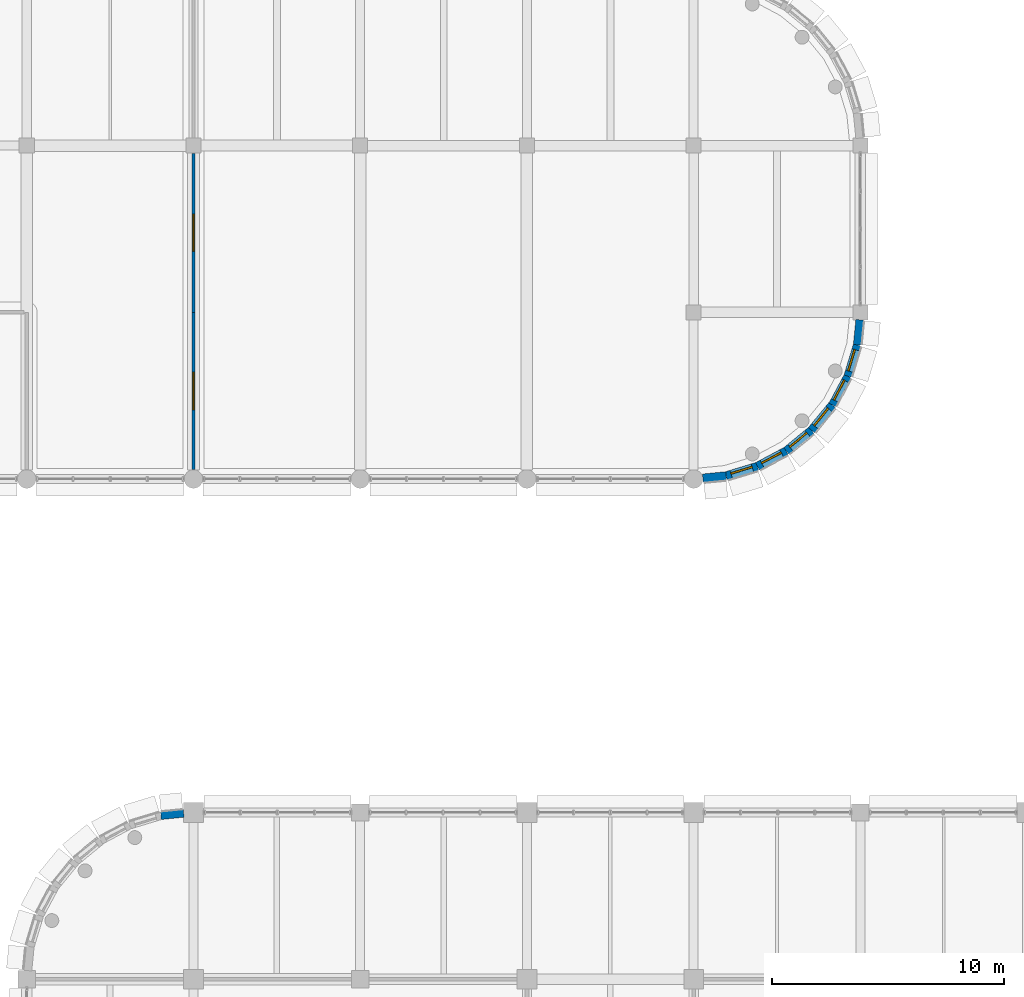
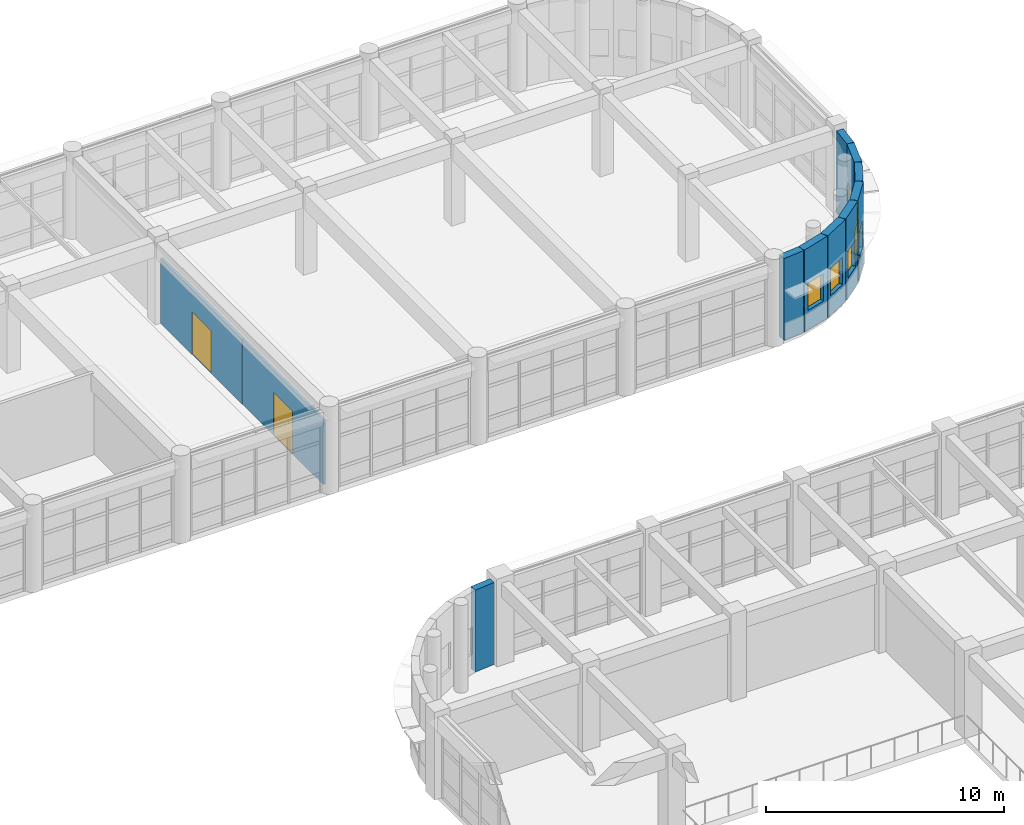
# One storey, part 153 of 171: 11 walls, 6 windows, 2 doors, 8 openings.
"""IFC4 building model written with IfcOpenShell, lengths in metres."""

import ifcopenshell
import ifcopenshell.guid

model = None  # the IFC model being written
_history = None  # IfcOwnerHistory: only IFC2X3 demands one
_inside = {}  # id of a spatial element -> (the spatial element, [elements in it])
_under = {}  # id of a project, library or spatial element -> (it, [spatial elements below it])
_declared = {}  # id of a project -> (the project, [libraries it declares])
_typed = {}  # id of a type object -> (the type object, [elements of that type])
_made_of = {}  # id of a material, layer set ... -> (it, [elements and type objects made of it])


def new_model(schema):
    """Start an empty IFC model of exactly this schema.

    Asked for "IFC4X3", IfcOpenShell would pick the latest addendum, in which some entities
    have other attributes; the version numbers below select the first issue.
    IFC2X3 requires an IfcOwnerHistory on every rooted entity: one is made here for all.
    """
    global model, _history
    if schema == "IFC4X3":
        model = ifcopenshell.file(schema_version=(4, 3, 0, 0))
    else:
        model = ifcopenshell.file(schema=schema)
    _inside.clear()
    _under.clear()
    _declared.clear()
    _typed.clear()
    _made_of.clear()
    _history = None
    if model.schema == "IFC2X3":
        org = make("IfcOrganization", Name="unknown")
        user = make(
            "IfcPersonAndOrganization",
            ThePerson=make("IfcPerson", FamilyName="unknown"),
            TheOrganization=org,
        )
        app = make(
            "IfcApplication",
            ApplicationDeveloper=org,
            Version="unknown",
            ApplicationFullName="unknown",
            ApplicationIdentifier="unknown",
        )
        _history = make(
            "IfcOwnerHistory",
            OwningUser=user,
            OwningApplication=app,
            ChangeAction="ADDED",
            CreationDate=0,
        )
    return model


def make(cls, **values):
    """One entity of the class cls with the attributes given. An attribute that is None is left unset."""
    return model.create_entity(
        cls, **{name: value for name, value in values.items() if value is not None}
    )


def rooted(cls, **values):
    """An entity with a GlobalId (a new one), such as an element, a storey or a relation."""
    return make(cls, GlobalId=ifcopenshell.guid.new(), OwnerHistory=_history, **values)


def si_unit(unit_type, name, prefix=None):
    """IfcSIUnit, for example si_unit("LENGTHUNIT", "METRE", prefix="MILLI")."""
    return make("IfcSIUnit", UnitType=unit_type, Prefix=prefix, Name=name)


def assignment(units):
    """IfcUnitAssignment: the units of a project."""
    return None if units is None else make("IfcUnitAssignment", Units=units)


def point(xyz):
    """IfcCartesianPoint."""
    return None if xyz is None else make("IfcCartesianPoint", Coordinates=xyz)


def direction(xyz):
    """IfcDirection."""
    return None if xyz is None else make("IfcDirection", DirectionRatios=xyz)


def frame(location, z_axis=None, x_axis=None):
    """IfcAxis2Placement3D, a coordinate frame: its origin and axes. An axis left out is left unset."""
    return make(
        "IfcAxis2Placement3D",
        Location=point(location),
        Axis=direction(z_axis),
        RefDirection=direction(x_axis),
    )


def frame_2d(location, x_axis=None):
    """IfcAxis2Placement2D, a coordinate frame in the plane: its origin and x axis."""
    return make(
        "IfcAxis2Placement2D", Location=point(location), RefDirection=direction(x_axis)
    )


def origin():
    """The frame at (0, 0, 0) with its axes left unset."""
    return frame((0.0, 0.0, 0.0))


def place(relative_to, where):
    """IfcLocalPlacement: puts the frame where relative to a parent placement (None: the world)."""
    return make(
        "IfcLocalPlacement", PlacementRelTo=relative_to, RelativePlacement=where
    )


def context(
    kind, dimensions, precision=None, world=None, true_north=None, identifier=None
):
    """IfcGeometricRepresentationContext, for example the 3D "Model" context."""
    return make(
        "IfcGeometricRepresentationContext",
        ContextIdentifier=identifier,
        ContextType=kind,
        CoordinateSpaceDimension=dimensions,
        Precision=precision,
        WorldCoordinateSystem=world,
        TrueNorth=true_north,
    )


def subcontext(parent, identifier, kind, view, scale=None):
    """IfcGeometricRepresentationSubContext, for example "Body" below "Model"."""
    return make(
        "IfcGeometricRepresentationSubContext",
        ContextIdentifier=identifier,
        ContextType=kind,
        ParentContext=parent,
        TargetScale=scale,
        TargetView=view,
    )


def project(units=None, contexts=None):
    """IfcProject with its units and contexts."""
    return rooted(
        "IfcProject",
        Name="project",
        RepresentationContexts=contexts,
        UnitsInContext=assignment(units),
    )


def spatial(cls, under=None, at=None, **own):
    """A site, building, storey or space (cls), placed at a placement, below another one or the project."""
    s = rooted(cls, ObjectPlacement=at, **own)
    if under is not None:
        _under.setdefault(under.id(), (under, []))[1].append(s)
    return s


def profile(cls, at=None, kind="AREA", **sizes):
    """A parametric profile (cls). Its sizes go by their IFC names, for example OverallWidth=200.0."""
    return make(cls, ProfileType=kind, Position=at, **sizes)


def rectangle(**sizes):
    """IfcRectangleProfileDef."""
    return profile("IfcRectangleProfileDef", **sizes)


def extrude(swept, where, along, depth):
    """IfcExtrudedAreaSolid: the profile swept, set in the frame where, extruded along a direction by depth."""
    return make(
        "IfcExtrudedAreaSolid",
        SweptArea=swept,
        Position=where,
        ExtrudedDirection=direction(along),
        Depth=depth,
    )


def shape(context_of_items, identifier, shape_type, items):
    """IfcShapeRepresentation: the items that make up one representation, for example the "Body"."""
    return make(
        "IfcShapeRepresentation",
        ContextOfItems=context_of_items,
        RepresentationIdentifier=identifier,
        RepresentationType=shape_type,
        Items=items,
    )


def material(Name=None, Category=None):
    """IfcMaterial."""
    return make("IfcMaterial", Name=Name, Category=Category)


def layer(
    of_material, thickness, ventilated=None, Name=None, Category=None, Priority=None
):
    """IfcMaterialLayer: one layer of a wall or slab, of a material (None: an air gap)."""
    return make(
        "IfcMaterialLayer",
        Material=of_material,
        LayerThickness=thickness,
        IsVentilated=ventilated,
        Name=Name,
        Category=Category,
        Priority=Priority,
    )


def layer_set(layers, Name=None):
    """IfcMaterialLayerSet."""
    return make("IfcMaterialLayerSet", MaterialLayers=layers, LayerSetName=Name)


def made_of(thing, what):
    """Note that an element or type object is made of a material, layer set ...; save() writes the relation."""
    if what is not None:
        _made_of.setdefault(what.id(), (what, []))[1].append(thing)
    return thing


def type_object(cls, material=None, **own):
    """A type object (cls), such as IfcWallType, which elements share."""
    return made_of(rooted(cls, **own), material)


def element(
    cls,
    number,
    at=None,
    inside=None,
    cuts=None,
    type_object=None,
    material=None,
    context=None,
    identifier="Body",
    shape_type=None,
    held_by="IfcProductDefinitionShape",
    body=None,
    shapes=None,
    **own,
):
    """One element of the class cls, such as IfcWall. Its Tag is "e" and its number.

    at: its placement. inside: the storey or other place that contains it. cuts: it is an
    opening in that element (IfcRelVoidsElement). A single representation is given by context,
    identifier, shape_type and body (its items); several are given by shapes. held_by: the class
    of the entity that holds the representations. save() writes the other relations.
    """
    e = rooted(cls, Tag="e%d" % number, ObjectPlacement=at, **own)
    if body is not None:
        shapes = [shape(context, identifier, shape_type, body)]
    if shapes is not None:
        e.Representation = make(held_by, Representations=shapes)
    if inside is not None:
        _inside.setdefault(inside.id(), (inside, []))[1].append(e)
    if cuts is not None:
        rooted(
            "IfcRelVoidsElement", RelatingBuildingElement=cuts, RelatedOpeningElement=e
        )
    if type_object is not None:
        _typed.setdefault(type_object.id(), (type_object, []))[1].append(e)
    return made_of(e, material)


def fill(opening, filler):
    """IfcRelFillsElement: the door or window that sits in an opening."""
    return rooted(
        "IfcRelFillsElement",
        RelatingOpeningElement=opening,
        RelatedBuildingElement=filler,
    )


def aggregate(whole, parts):
    """IfcRelAggregates: a whole, such as a stair, and the parts it consists of."""
    return rooted("IfcRelAggregates", RelatingObject=whole, RelatedObjects=parts)


def save(model, path):
    """Write the relations noted so far, then the file.

    IfcRelAggregates (storeys below a building ...), IfcRelContainedInSpatialStructure (elements
    in a storey), IfcRelDefinesByType, IfcRelAssociatesMaterial and IfcRelDeclares: one each for
    every whole, place, type object, material and project.
    """
    for whole, parts in _under.values():
        aggregate(whole, parts)
    for where, things in _inside.values():
        rooted(
            "IfcRelContainedInSpatialStructure",
            RelatedElements=things,
            RelatingStructure=where,
        )
    for kind, things in _typed.values():
        rooted("IfcRelDefinesByType", RelatedObjects=things, RelatingType=kind)
    for what, things in _made_of.values():
        rooted("IfcRelAssociatesMaterial", RelatedObjects=things, RelatingMaterial=what)
    for by, libraries in _declared.values():
        rooted("IfcRelDeclares", RelatingContext=by, RelatedDefinitions=libraries)
    model.write(path)


model = new_model("IFC4")

# Units and contexts
model_context = context("Model", 3, precision=1e-05, world=origin(), true_north=direction((0.0, 1.0)))
body_context = subcontext(model_context, "Body", "Model", "MODEL_VIEW")
ifc_project = project(units=[si_unit("LENGTHUNIT", "METRE"), si_unit("AREAUNIT", "SQUARE_METRE"), si_unit("VOLUMEUNIT", "CUBIC_METRE"), si_unit("PLANEANGLEUNIT", "RADIAN"), si_unit("MASSUNIT", "GRAM", prefix="KILO")], contexts=[model_context])

# Site, building, storey
site_placement = place(None, origin())
site = spatial("IfcSite", under=ifc_project, at=site_placement, CompositionType="ELEMENT")
building_placement = place(site_placement, origin())
building = spatial("IfcBuilding", under=site, at=building_placement, Name="Thalmaran Polytechnic", CompositionType="ELEMENT")
storey_placement = place(building_placement, frame((0.0, 0.0, 5.39990234375)))
storey = spatial("IfcBuildingStorey", under=building, at=storey_placement, Name="L01", CompositionType="ELEMENT", Elevation=5.39990234375)

# Wall, opening, window
ifc_material_1 = material(Name="Precast concrete C40/50", Category="concrete")
ifc_layer_1 = layer(ifc_material_1, 0.360107421875, Name="Precast concrete C40/50")
ifc_layer_set_1 = layer_set([ifc_layer_1], Name="Precast concrete C40/50")
wall_type_1 = type_object("IfcWallType", Name="WL-EW01", PredefinedType="STANDARD", material=ifc_layer_set_1)
wall_1_placement = place(storey_placement, frame((92.386474609375, 53.599853515625, 0.0), z_axis=(0.0, 0.0, 1.0), x_axis=(-0.63432986571, -0.773062495189, 0.0)))
wall_1 = element("IfcWall", 1, at=wall_1_placement, inside=storey, type_object=wall_type_1, Name="Exterior Precast Facade Wall L01-156", PredefinedType="STANDARD", context=body_context, shape_type="SweptSolid", body=[
    extrude(rectangle(XDim=1.411376953125, YDim=0.360107421875, at=frame_2d((0.70556640625, 0.0))), origin(), (0.0, 0.0, 1.0), 4.210205078125),
])
opening_1_placement = place(wall_1_placement, frame((0.2255859375, 0.0, 1.0)))
opening_1 = element("IfcOpeningElement", 2, at=opening_1_placement, cuts=wall_1, Name="Opening CR01", PredefinedType="OPENING", context=body_context, shape_type="SweptSolid", body=[
    extrude(rectangle(XDim=0.9599609375, YDim=1.39990234375, at=frame_2d((0.47998046875, 0.699951171875))), frame((0.0, 0.18994140625, 0.0), z_axis=(0.0, -1.0, 0.0), x_axis=(1.0, 0.0, 0.0)), (0.0, 0.0, 1.0), 0.380126953125),
])
ifc_material_2 = material(Name="Thermally broken aluminium and double low-E glass", Category="aluminium")
window_type = type_object("IfcWindowType", Name="WN-CR01", PartitioningType="SINGLE_PANEL", PredefinedType="WINDOW", material=ifc_material_2)
window_1_placement = place(opening_1_placement, origin())
window_1 = element("IfcWindow", 3, at=window_1_placement, inside=storey, type_object=window_type, Name="Curved Prow Ribbon Window W-0169", OverallHeight=1.39990234375, OverallWidth=0.9599609375, PartitioningType="SINGLE_PANEL", PredefinedType="WINDOW", context=body_context, shape_type="SweptSolid", body=[
    extrude(rectangle(XDim=0.9599609375, YDim=1.39990234375, at=frame_2d((0.47998046875, 0.699951171875))), frame((0.0, -0.010009765625, 0.0), z_axis=(0.0, -1.0, 0.0), x_axis=(1.0, 0.0, 0.0)), (0.0, 0.0, 1.0), 0.06005859375),
])
fill(opening_1, window_1)

wall_2_placement = place(storey_placement, frame((91.4912109375, 52.5087890625, 0.0), z_axis=(0.0, 0.0, 1.0), x_axis=(-0.773062495189, -0.63432986571, 0.0)))
wall_2 = element("IfcWall", 4, at=wall_2_placement, inside=storey, type_object=wall_type_1, Name="Exterior Precast Facade Wall L01-157", PredefinedType="STANDARD", context=body_context, shape_type="SweptSolid", body=[
    extrude(rectangle(XDim=1.411376953125, YDim=0.360107421875, at=frame_2d((0.70556640625, 0.0))), origin(), (0.0, 0.0, 1.0), 4.210205078125),
])
opening_2_placement = place(wall_2_placement, frame((0.2255859375, 0.0, 1.0)))
opening_2 = element("IfcOpeningElement", 5, at=opening_2_placement, cuts=wall_2, Name="Opening CR01", PredefinedType="OPENING", context=body_context, shape_type="SweptSolid", body=[
    extrude(rectangle(XDim=0.9599609375, YDim=1.39990234375, at=frame_2d((0.47998046875, 0.699951171875))), frame((0.0, 0.18994140625, 0.0), z_axis=(0.0, -1.0, 0.0), x_axis=(1.0, 0.0, 0.0)), (0.0, 0.0, 1.0), 0.380126953125),
])
window_2_placement = place(opening_2_placement, origin())
window_2 = element("IfcWindow", 6, at=window_2_placement, inside=storey, type_object=window_type, Name="Curved Prow Ribbon Window W-0170", OverallHeight=1.39990234375, OverallWidth=0.9599609375, PartitioningType="SINGLE_PANEL", PredefinedType="WINDOW", context=body_context, shape_type="SweptSolid", body=[
    extrude(rectangle(XDim=0.9599609375, YDim=1.39990234375, at=frame_2d((0.47998046875, 0.699951171875))), frame((0.0, -0.010009765625, 0.0), z_axis=(0.0, -1.0, 0.0), x_axis=(1.0, 0.0, 0.0)), (0.0, 0.0, 1.0), 0.06005859375),
])
fill(opening_2, window_2)

wall_3_placement = place(storey_placement, frame((90.400146484375, 51.613525390625, 0.0), z_axis=(0.0, 0.0, 1.0), x_axis=(-0.881883317393, -0.471467723713, 0.0)))
wall_3 = element("IfcWall", 7, at=wall_3_placement, inside=storey, type_object=wall_type_1, Name="Exterior Precast Facade Wall L01-158", PredefinedType="STANDARD", context=body_context, shape_type="SweptSolid", body=[
    extrude(rectangle(XDim=1.41162109375, YDim=0.360107421875, at=frame_2d((0.705810546875, 0.0))), origin(), (0.0, 0.0, 1.0), 4.210205078125),
])
opening_3_placement = place(wall_3_placement, frame((0.2255859375, 0.0, 1.0)))
opening_3 = element("IfcOpeningElement", 8, at=opening_3_placement, cuts=wall_3, Name="Opening CR01", PredefinedType="OPENING", context=body_context, shape_type="SweptSolid", body=[
    extrude(rectangle(XDim=0.9599609375, YDim=1.39990234375, at=frame_2d((0.47998046875, 0.699951171875))), frame((0.0, 0.18994140625, 0.0), z_axis=(0.0, -1.0, 0.0), x_axis=(1.0, 0.0, 0.0)), (0.0, 0.0, 1.0), 0.380126953125),
])
window_3_placement = place(opening_3_placement, origin())
window_3 = element("IfcWindow", 9, at=window_3_placement, inside=storey, type_object=window_type, Name="Curved Prow Ribbon Window W-0171", OverallHeight=1.39990234375, OverallWidth=0.9599609375, PartitioningType="SINGLE_PANEL", PredefinedType="WINDOW", context=body_context, shape_type="SweptSolid", body=[
    extrude(rectangle(XDim=0.9599609375, YDim=1.39990234375, at=frame_2d((0.47998046875, 0.699951171875))), frame((0.0, -0.010009765625, 0.0), z_axis=(0.0, -1.0, 0.0), x_axis=(1.0, 0.0, 0.0)), (0.0, 0.0, 1.0), 0.06005859375),
])
fill(opening_3, window_3)

wall_4_placement = place(storey_placement, frame((89.1552734375, 50.947998046875, 0.0), z_axis=(0.0, 0.0, 1.0), x_axis=(-0.956945806495, -0.290266641956, 0.0)))
wall_4 = element("IfcWall", 10, at=wall_4_placement, inside=storey, type_object=wall_type_1, Name="Exterior Precast Facade Wall L01-159", PredefinedType="STANDARD", context=body_context, shape_type="SweptSolid", body=[
    extrude(rectangle(XDim=1.411376953125, YDim=0.360107421875, at=frame_2d((0.70556640625, 0.0))), origin(), (0.0, 0.0, 1.0), 4.210205078125),
])
opening_4_placement = place(wall_4_placement, frame((0.2255859375, 0.0, 1.0)))
opening_4 = element("IfcOpeningElement", 11, at=opening_4_placement, cuts=wall_4, Name="Opening CR01", PredefinedType="OPENING", context=body_context, shape_type="SweptSolid", body=[
    extrude(rectangle(XDim=0.9599609375, YDim=1.39990234375, at=frame_2d((0.47998046875, 0.699951171875))), frame((0.0, 0.18994140625, 0.0), z_axis=(0.0, -1.0, 0.0), x_axis=(1.0, 0.0, 0.0)), (0.0, 0.0, 1.0), 0.380126953125),
])
window_4_placement = place(opening_4_placement, origin())
window_4 = element("IfcWindow", 12, at=window_4_placement, inside=storey, type_object=window_type, Name="Curved Prow Ribbon Window W-0172", OverallHeight=1.39990234375, OverallWidth=0.9599609375, PartitioningType="SINGLE_PANEL", PredefinedType="WINDOW", context=body_context, shape_type="SweptSolid", body=[
    extrude(rectangle(XDim=0.9599609375, YDim=1.39990234375, at=frame_2d((0.47998046875, 0.699951171875))), frame((0.0, -0.010009765625, 0.0), z_axis=(0.0, -1.0, 0.0), x_axis=(1.0, 0.0, 0.0)), (0.0, 0.0, 1.0), 0.06005859375),
])
fill(opening_4, window_4)

# Walls
wall_5_placement = place(storey_placement, frame((87.8046875, 50.538330078125, 0.0), z_axis=(0.0, 0.0, 1.0), x_axis=(-0.9951866114, -0.097998002481, 0.0)))
element("IfcWall", 13, at=wall_5_placement, inside=storey, type_object=wall_type_1, Name="Exterior Precast Facade Wall L01-160", PredefinedType="STANDARD", context=body_context, shape_type="SweptSolid", body=[
    extrude(rectangle(XDim=1.011474609375, YDim=0.360107421875, at=frame_2d((0.505859375, 0.0))), origin(), (0.0, 0.0, 1.0), 4.210205078125),
])
ifc_layer_2 = layer(ifc_material_1, 0.330078125, Name="Precast concrete C40/50")
ifc_layer_set_2 = layer_set([ifc_layer_2], Name="Precast concrete C40/50")
wall_type_2 = type_object("IfcWallType", Name="WL-EW02", PredefinedType="STANDARD", material=ifc_layer_set_2)
wall_6_placement = place(storey_placement, frame((93.568115234375, 57.276611328125, 0.0), z_axis=(0.0, 0.0, 1.0), x_axis=(-0.097968531872, -0.995189512989, 0.0)))
element("IfcWall", 14, at=wall_6_placement, inside=storey, type_object=wall_type_2, Name="Exterior Precast Facade Wall L01-153", PredefinedType="STANDARD", context=body_context, shape_type="SweptSolid", body=[
    extrude(rectangle(XDim=1.08642578125, YDim=0.330078125, at=frame_2d((0.543212890625, 0.0))), origin(), (0.0, 0.0, 1.0), 4.210205078125),
])

# Wall, opening, window
wall_7_placement = place(storey_placement, frame((93.461669921875, 56.1953125, 0.0), z_axis=(0.0, 0.0, 1.0), x_axis=(-0.290266641956, -0.956945806495, 0.0)))
wall_7 = element("IfcWall", 15, at=wall_7_placement, inside=storey, type_object=wall_type_2, Name="Exterior Precast Facade Wall L01-154", PredefinedType="STANDARD", context=body_context, shape_type="SweptSolid", body=[
    extrude(rectangle(XDim=1.411376953125, YDim=0.330078125, at=frame_2d((0.70556640625, 0.0))), origin(), (0.0, 0.0, 1.0), 4.210205078125),
])
opening_5_placement = place(wall_7_placement, frame((0.2255859375, 0.0, 1.0)))
opening_5 = element("IfcOpeningElement", 16, at=opening_5_placement, cuts=wall_7, Name="Opening CR01", PredefinedType="OPENING", context=body_context, shape_type="SweptSolid", body=[
    extrude(rectangle(XDim=0.9599609375, YDim=1.39990234375, at=frame_2d((0.47998046875, 0.699951171875))), frame((0.0, 0.175048828125, 0.0), z_axis=(0.0, -1.0, 0.0), x_axis=(1.0, 0.0, 0.0)), (0.0, 0.0, 1.0), 0.35009765625),
])
window_5_placement = place(opening_5_placement, origin())
window_5 = element("IfcWindow", 17, at=window_5_placement, inside=storey, type_object=window_type, Name="Curved Prow Ribbon Window W-0167", OverallHeight=1.39990234375, OverallWidth=0.9599609375, PartitioningType="SINGLE_PANEL", PredefinedType="WINDOW", context=body_context, shape_type="SweptSolid", body=[
    extrude(rectangle(XDim=0.9599609375, YDim=1.39990234375, at=frame_2d((0.47998046875, 0.699951171875))), frame((0.0, -0.010009765625, 0.0), z_axis=(0.0, -1.0, 0.0), x_axis=(1.0, 0.0, 0.0)), (0.0, 0.0, 1.0), 0.06005859375),
])
fill(opening_5, window_5)

wall_8_placement = place(storey_placement, frame((93.052001953125, 54.8447265625, 0.0), z_axis=(0.0, 0.0, 1.0), x_axis=(-0.471467723713, -0.881883317393, 0.0)))
wall_8 = element("IfcWall", 18, at=wall_8_placement, inside=storey, type_object=wall_type_2, Name="Exterior Precast Facade Wall L01-155", PredefinedType="STANDARD", context=body_context, shape_type="SweptSolid", body=[
    extrude(rectangle(XDim=1.41162109375, YDim=0.330078125, at=frame_2d((0.705810546875, 0.0))), origin(), (0.0, 0.0, 1.0), 4.210205078125),
])
opening_6_placement = place(wall_8_placement, frame((0.2255859375, 0.0, 1.0)))
opening_6 = element("IfcOpeningElement", 19, at=opening_6_placement, cuts=wall_8, Name="Opening CR01", PredefinedType="OPENING", context=body_context, shape_type="SweptSolid", body=[
    extrude(rectangle(XDim=0.9599609375, YDim=1.39990234375, at=frame_2d((0.47998046875, 0.699951171875))), frame((0.0, 0.175048828125, 0.0), z_axis=(0.0, -1.0, 0.0), x_axis=(1.0, 0.0, 0.0)), (0.0, 0.0, 1.0), 0.35009765625),
])
window_6_placement = place(opening_6_placement, origin())
window_6 = element("IfcWindow", 20, at=window_6_placement, inside=storey, type_object=window_type, Name="Curved Prow Ribbon Window W-0168", OverallHeight=1.39990234375, OverallWidth=0.9599609375, PartitioningType="SINGLE_PANEL", PredefinedType="WINDOW", context=body_context, shape_type="SweptSolid", body=[
    extrude(rectangle(XDim=0.9599609375, YDim=1.39990234375, at=frame_2d((0.47998046875, 0.699951171875))), frame((0.0, -0.010009765625, 0.0), z_axis=(0.0, -1.0, 0.0), x_axis=(1.0, 0.0, 0.0)), (0.0, 0.0, 1.0), 0.06005859375),
])
fill(opening_6, window_6)

# Wall
wall_9_placement = place(storey_placement, frame((63.395263671875, 35.861572265625, 0.0), z_axis=(0.0, 0.0, 1.0), x_axis=(0.99518554585, 0.09800882272, 0.0)))
element("IfcWall", 21, at=wall_9_placement, inside=storey, type_object=wall_type_2, Name="Exterior Precast Facade Wall L01-187", PredefinedType="STANDARD", context=body_context, shape_type="SweptSolid", body=[
    extrude(rectangle(XDim=0.986328125, YDim=0.330078125, at=frame_2d((0.4931640625, 0.0))), origin(), (0.0, 0.0, 1.0), 4.210205078125),
])

# Wall, opening, door
ifc_material_3 = material(Name="Gypsum acoustic partition")
ifc_layer_3 = layer(ifc_material_3, 0.1298828125, Name="Gypsum acoustic partition")
ifc_layer_set_3 = layer_set([ifc_layer_3], Name="Gypsum acoustic partition")
wall_type_3 = type_object("IfcWallType", Name="WL-IW07", PredefinedType="PARTITIONING", material=ifc_layer_set_3)
wall_10_placement = place(storey_placement, frame((64.800048828125, 57.60009765625, 0.0), z_axis=(0.0, 0.0, 1.0), x_axis=(0.0, 1.0, 0.0)))
wall_10 = element("IfcWall", 22, at=wall_10_placement, inside=storey, type_object=wall_type_3, Name="Interior Partition IW07 L01-072", PredefinedType="PARTITIONING", context=body_context, shape_type="SweptSolid", body=[
    extrude(rectangle(XDim=6.869873046875, YDim=0.1298828125, at=frame_2d((3.43505859375, 0.0))), origin(), (0.0, 0.0, 1.0), 3.340087890625),
])
opening_7_placement = place(wall_10_placement, frame((2.635009765625, 0.0, 0.0)))
opening_7 = element("IfcOpeningElement", 23, at=opening_7_placement, cuts=wall_10, Name="Opening D-L01-004--CAF-2", PredefinedType="OPENING", context=body_context, shape_type="SweptSolid", body=[
    extrude(rectangle(XDim=1.60009765625, YDim=2.199951171875, at=frame_2d((0.800048828125, 1.10009765625))), frame((0.0, 0.074951171875, 0.0), z_axis=(0.0, -1.0, 0.0), x_axis=(1.0, 0.0, 0.0)), (0.0, 0.0, 1.0), 0.14990234375),
])
ifc_material_4 = material(Name="Powder-coated fire-rated steel", Category="steel")
door_type = type_object("IfcDoorType", Name="DR-FD05", OperationType="NOTDEFINED", PredefinedType="DOOR", material=ifc_material_4)
door_1_placement = place(opening_7_placement, origin())
door_1 = element("IfcDoor", 24, at=door_1_placement, inside=storey, type_object=door_type, Name="Refectory Mezzanine and Campus Cafe Door 2", OperationType="DOUBLE_DOOR_SINGLE_SWING", OverallHeight=2.199951171875, OverallWidth=1.60009765625, PredefinedType="DOOR", context=body_context, shape_type="SweptSolid", body=[
    extrude(rectangle(XDim=1.60009765625, YDim=2.199951171875, at=frame_2d((0.800048828125, 1.10009765625))), frame((0.0, 0.02490234375, 0.0), z_axis=(0.0, -1.0, 0.0), x_axis=(1.0, 0.0, 0.0)), (0.0, 0.0, 1.0), 0.050048828125),
])
fill(opening_7, door_1)

ifc_layer_4 = layer(ifc_material_3, 0.114990234375, Name="Gypsum acoustic partition")
ifc_layer_set_4 = layer_set([ifc_layer_4], Name="Gypsum acoustic partition")
wall_type_4 = type_object("IfcWallType", Name="WL-IW08", PredefinedType="PARTITIONING", material=ifc_layer_set_4)
wall_11_placement = place(storey_placement, frame((64.800048828125, 50.804931640625, 0.0), z_axis=(0.0, 0.0, 1.0), x_axis=(0.0, 1.0, 0.0)))
wall_11 = element("IfcWall", 25, at=wall_11_placement, inside=storey, type_object=wall_type_4, Name="Interior Partition IW08 L01-071", PredefinedType="PARTITIONING", context=body_context, shape_type="SweptSolid", body=[
    extrude(rectangle(XDim=6.795166015625, YDim=0.114990234375, at=frame_2d((3.3974609375, 0.0))), origin(), (0.0, 0.0, 1.0), 3.340087890625),
])
opening_8_placement = place(wall_11_placement, frame((2.597412109375, 0.0, 0.0)))
opening_8 = element("IfcOpeningElement", 26, at=opening_8_placement, cuts=wall_11, Name="Opening D-L01-003--CAF-1", PredefinedType="OPENING", context=body_context, shape_type="SweptSolid", body=[
    extrude(rectangle(XDim=1.60009765625, YDim=2.199951171875, at=frame_2d((0.800048828125, 1.10009765625))), frame((0.0, 0.0673828125, 0.0), z_axis=(0.0, -1.0, 0.0), x_axis=(1.0, 0.0, 0.0)), (0.0, 0.0, 1.0), 0.135009765625),
])
door_2_placement = place(opening_8_placement, origin())
door_2 = element("IfcDoor", 27, at=door_2_placement, inside=storey, type_object=door_type, Name="Refectory Mezzanine and Campus Cafe Door 1", OperationType="DOUBLE_DOOR_SINGLE_SWING", OverallHeight=2.199951171875, OverallWidth=1.60009765625, PredefinedType="DOOR", context=body_context, shape_type="SweptSolid", body=[
    extrude(rectangle(XDim=1.60009765625, YDim=2.199951171875, at=frame_2d((0.800048828125, 1.10009765625))), frame((0.0, 0.02490234375, 0.0), z_axis=(0.0, -1.0, 0.0), x_axis=(1.0, 0.0, 0.0)), (0.0, 0.0, 1.0), 0.050048828125),
])
fill(opening_8, door_2)

save(model, "model.ifc")
